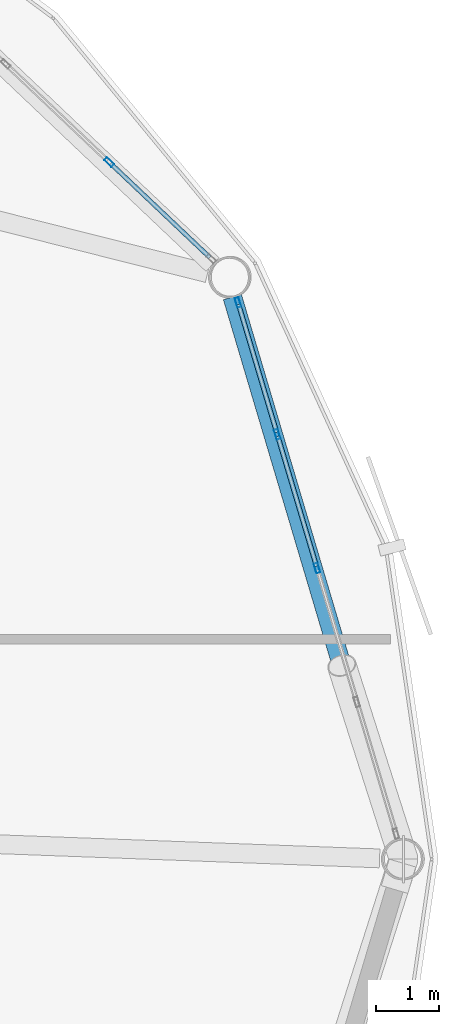
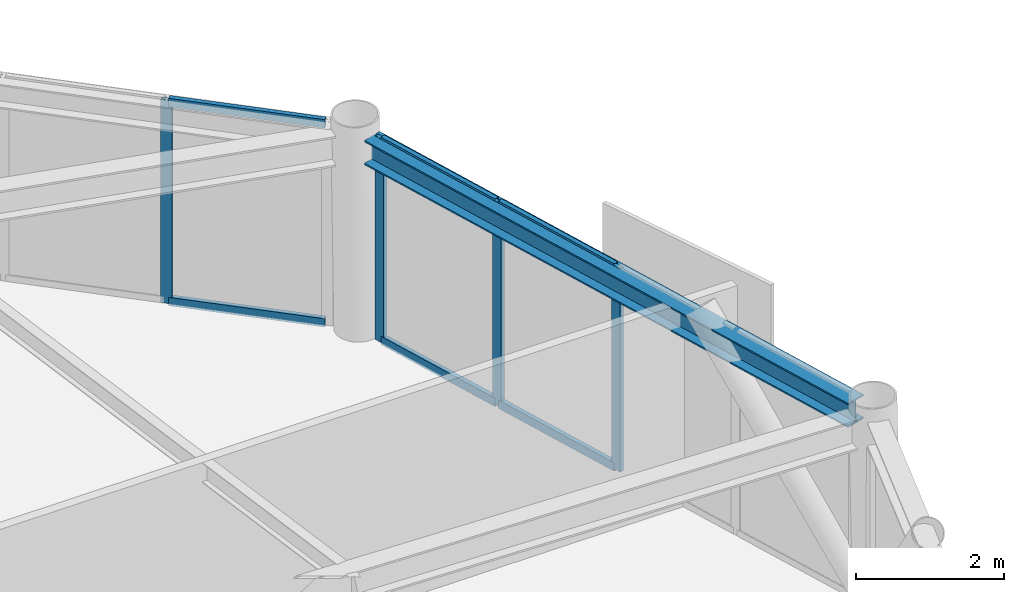
# One storey, part 18 of 29: 10 members, 1 beam, 2 elements without a shape of their own.
"""IFC4 building model written with IfcOpenShell, lengths in metres."""

from ifc_helpers import new_model, si_unit, direction, frame, origin, origin_2d, place, context, subcontext, project, spatial, hollow_rectangle, i_section, extrude, material, layer, layer_set, material_profile, profile_set, type_object, element, aggregate, save


model = new_model("IFC4")

# Units and contexts
model_context = context("Model", 3, precision=1e-05, world=origin(), true_north=direction((0.0, 1.0)))
body_context = subcontext(model_context, "Body", "Model", "MODEL_VIEW")
ifc_project = project(units=[si_unit("LENGTHUNIT", "METRE"), si_unit("AREAUNIT", "SQUARE_METRE"), si_unit("VOLUMEUNIT", "CUBIC_METRE"), si_unit("PLANEANGLEUNIT", "RADIAN"), si_unit("MASSUNIT", "GRAM", prefix="KILO")], contexts=[model_context])

# Site, building, storey
site_placement = place(None, origin())
site = spatial("IfcSite", under=ifc_project, at=site_placement, CompositionType="ELEMENT")
building_placement = place(site_placement, origin())
building = spatial("IfcBuilding", under=site, at=building_placement, Name="Varnakorn Sky Granary", CompositionType="ELEMENT")
storey_placement = place(building_placement, frame((0.0, 0.0, 182.39990234375)))
storey = spatial("IfcBuildingStorey", under=building, at=storey_placement, Name="L45", CompositionType="ELEMENT", Elevation=182.39990234375)

# Beam
ifc_material_1 = material(Name="Steel S355JR", Category="steel")
ifc_material_profile_1 = material_profile(ifc_material_1, i_section(OverallWidth=0.300048828125, OverallDepth=0.39990234375, WebThickness=0.013427734375, FlangeThickness=0.02392578125, at=origin_2d()), Name="HE 400 B")
ifc_profile_set_1 = profile_set([ifc_material_profile_1], Name="Steel S355JR")
beam_type = type_object("IfcBeamType", Name="BM-SPD-Z4", PredefinedType="SPANDREL", material=ifc_profile_set_1)
beam_placement = place(storey_placement, frame((24.4072265625, 0.302001953125, 3.16015625), z_axis=(-0.28468412354, 0.958621379797, 0.0), x_axis=(-0.958621379797, -0.28468412354, 0.0)))
element("IfcBeam", 1, at=beam_placement, inside=storey, type_object=beam_type, Name="Perimeter Spandrel Ring Beam RB01 L45", PredefinedType="SPANDREL", context=body_context, shape_type="SweptSolid", body=[
    extrude(i_section(OverallWidth=0.300048828125, OverallDepth=0.39990234375, WebThickness=0.013427734375, FlangeThickness=0.02392578125, at=origin_2d()), origin(), (0.0, 0.0, 1.0), 9.026123046875),
])

# Curtain wall, members
ifc_material_2 = material(Name="Anodised Bronze Aluminium Alloy 6063-T6", Category="aluminium")
ifc_layer = layer(ifc_material_2, 0.169921875, Name="Anodised Bronze Aluminium Alloy 6063-T6")
ifc_layer_set = layer_set([ifc_layer], Name="Anodised Bronze Aluminium Alloy 6063-T6")
curtain_wall_type = type_object("IfcCurtainWallType", Name="CW-LAB-1", PredefinedType="USERDEFINED", material=ifc_layer_set)
curtain_wall_1_placement = place(storey_placement, origin())
curtain_wall_1 = element("IfcCurtainWall", 2, at=curtain_wall_1_placement, inside=storey, type_object=curtain_wall_type, Name="Unitised Curtain Wall CW5 CW-L45-B01", ObjectType="CURTAIN WALL", PredefinedType="USERDEFINED")
ifc_material_profile_2 = material_profile(ifc_material_2, hollow_rectangle(XDim=0.06494140625, YDim=0.159912109375, WallThickness=0.00341796875, at=origin_2d()), Name="ALU MULL 65x160")
ifc_profile_set_2 = profile_set([ifc_material_profile_2], Name="Anodised Bronze Aluminium Alloy 6063-T6")
member_type_1 = type_object("IfcMemberType", Name="CW-LAB-1-MULL", PredefinedType="MULLION", material=ifc_profile_set_2)
member_1_placement = place(storey_placement, frame((21.92724609375, 8.86865234375, 0.0), z_axis=(0.0, 0.0, 1.0), x_axis=(0.958503400255, 0.285081096707, 0.0)))
member_1 = element("IfcMember", 3, at=member_1_placement, type_object=member_type_1, Name="CW5 mullion 1", PredefinedType="MULLION", context=body_context, shape_type="SweptSolid", body=[
    extrude(hollow_rectangle(XDim=0.06494140625, YDim=0.159912109375, WallThickness=0.00341796875, at=origin_2d()), origin(), (0.0, 0.0, 1.0), 3.360107421875),
])
member_2_placement = place(storey_placement, frame((22.552001953125, 6.768310546875, 0.0), z_axis=(0.0, 0.0, 1.0), x_axis=(0.958503400255, 0.285081096707, 0.0)))
member_2 = element("IfcMember", 4, at=member_2_placement, type_object=member_type_1, Name="CW5 mullion 2", PredefinedType="MULLION", context=body_context, shape_type="SweptSolid", body=[
    extrude(hollow_rectangle(XDim=0.06494140625, YDim=0.159912109375, WallThickness=0.00341796875, at=origin_2d()), origin(), (0.0, 0.0, 1.0), 3.360107421875),
])
member_3_placement = place(storey_placement, frame((23.185791015625, 4.63671875, 0.0), z_axis=(0.0, 0.0, 1.0), x_axis=(0.958503400255, 0.285081096707, 0.0)))
member_3 = element("IfcMember", 5, at=member_3_placement, type_object=member_type_1, Name="CW5 mullion 3", PredefinedType="MULLION", context=body_context, shape_type="SweptSolid", body=[
    extrude(hollow_rectangle(XDim=0.06494140625, YDim=0.159912109375, WallThickness=0.00341796875, at=origin_2d()), origin(), (0.0, 0.0, 1.0), 3.360107421875),
])

# Curtain wall, member
curtain_wall_2_placement = place(storey_placement, origin())
curtain_wall_2 = element("IfcCurtainWall", 6, at=curtain_wall_2_placement, inside=storey, type_object=curtain_wall_type, Name="Unitised Curtain Wall CW5 CW-L45-B02", ObjectType="CURTAIN WALL", PredefinedType="USERDEFINED")
member_4_placement = place(storey_placement, frame((19.87353515625, 11.104736328125, 0.0), z_axis=(0.0, 0.0, 1.0), x_axis=(0.687692477005, 0.726002105418, 0.0)))
member_4 = element("IfcMember", 7, at=member_4_placement, type_object=member_type_1, Name="CW5 mullion 4", PredefinedType="MULLION", context=body_context, shape_type="SweptSolid", body=[
    extrude(hollow_rectangle(XDim=0.06494140625, YDim=0.159912109375, WallThickness=0.00341796875, at=origin_2d()), origin(), (0.0, 0.0, 1.0), 3.360107421875),
])

# Member
ifc_material_profile_3 = material_profile(ifc_material_2, hollow_rectangle(XDim=0.070068359375, YDim=0.139892578125, WallThickness=0.00341796875, at=origin_2d()), Name="ALU TRAN 70x140")
ifc_profile_set_3 = profile_set([ifc_material_profile_3], Name="Anodised Bronze Aluminium Alloy 6063-T6")
member_type_2 = type_object("IfcMemberType", Name="CW-LAB-1-TRAN", PredefinedType="USERDEFINED", material=ifc_profile_set_3)
member_5_placement = place(storey_placement, frame((21.9365234375, 8.83740234375, 0.03515625), z_axis=(0.285092866619, -0.958499899532, 0.0), x_axis=(0.958499899532, 0.285092866619, 0.0)))
member_5 = element("IfcMember", 8, at=member_5_placement, type_object=member_type_2, Name="CW5 transom 1.1", ObjectType="TRANSOM", PredefinedType="USERDEFINED", context=body_context, shape_type="SweptSolid", body=[
    extrude(hollow_rectangle(XDim=0.070068359375, YDim=0.139892578125, WallThickness=0.00341796875, at=origin_2d()), origin(), (0.0, 0.0, 1.0), 2.126220703125),
])

member_6_placement = place(storey_placement, frame((21.9365234375, 8.83740234375, 3.3251953125), z_axis=(0.285092866619, -0.958499899532, 0.0), x_axis=(0.958499899532, 0.285092866619, 0.0)))
member_6 = element("IfcMember", 9, at=member_6_placement, type_object=member_type_2, Name="CW5 transom 1.2", ObjectType="TRANSOM", PredefinedType="USERDEFINED", context=body_context, shape_type="SweptSolid", body=[
    extrude(hollow_rectangle(XDim=0.070068359375, YDim=0.139892578125, WallThickness=0.00341796875, at=origin_2d()), origin(), (0.0, 0.0, 1.0), 2.126220703125),
])

member_7_placement = place(storey_placement, frame((22.561279296875, 6.737060546875, 0.03515625), z_axis=(0.285012395719, -0.958523830839, 0.0), x_axis=(0.958523830839, 0.285012395719, 0.0)))
member_7 = element("IfcMember", 10, at=member_7_placement, type_object=member_type_2, Name="CW5 transom 2.1", ObjectType="TRANSOM", PredefinedType="USERDEFINED", context=body_context, shape_type="SweptSolid", body=[
    extrude(hollow_rectangle(XDim=0.070068359375, YDim=0.139892578125, WallThickness=0.00341796875, at=origin_2d()), origin(), (0.0, 0.0, 1.0), 2.15869140625),
])

member_8_placement = place(storey_placement, frame((22.561279296875, 6.737060546875, 3.3251953125), z_axis=(0.285012395719, -0.958523830839, 0.0), x_axis=(0.958523830839, 0.285012395719, 0.0)))
member_8 = element("IfcMember", 11, at=member_8_placement, type_object=member_type_2, Name="CW5 transom 2.2", ObjectType="TRANSOM", PredefinedType="USERDEFINED", context=body_context, shape_type="SweptSolid", body=[
    extrude(hollow_rectangle(XDim=0.070068359375, YDim=0.139892578125, WallThickness=0.00341796875, at=origin_2d()), origin(), (0.0, 0.0, 1.0), 2.15869140625),
])

aggregate(curtain_wall_1, [member_1, member_2, member_3, member_5, member_6, member_7, member_8])

member_9_placement = place(storey_placement, frame((19.897216796875, 11.08251953125, 0.03515625), z_axis=(0.725982172965, -0.687713519234, 0.0), x_axis=(0.687713519234, 0.725982172965, 0.0)))
member_9 = element("IfcMember", 12, at=member_9_placement, type_object=member_type_2, Name="CW5 transom 4.1", ObjectType="TRANSOM", PredefinedType="USERDEFINED", context=body_context, shape_type="SweptSolid", body=[
    extrude(hollow_rectangle(XDim=0.070068359375, YDim=0.139892578125, WallThickness=0.00341796875, at=origin_2d()), origin(), (0.0, 0.0, 1.0), 2.175537109375),
])

member_10_placement = place(storey_placement, frame((19.897216796875, 11.08251953125, 3.3251953125), z_axis=(0.725982172965, -0.687713519234, 0.0), x_axis=(0.687713519234, 0.725982172965, 0.0)))
member_10 = element("IfcMember", 13, at=member_10_placement, type_object=member_type_2, Name="CW5 transom 4.2", ObjectType="TRANSOM", PredefinedType="USERDEFINED", context=body_context, shape_type="SweptSolid", body=[
    extrude(hollow_rectangle(XDim=0.070068359375, YDim=0.139892578125, WallThickness=0.00341796875, at=origin_2d()), origin(), (0.0, 0.0, 1.0), 2.175537109375),
])

aggregate(curtain_wall_2, [member_4, member_9, member_10])

save(model, "model.ifc")
